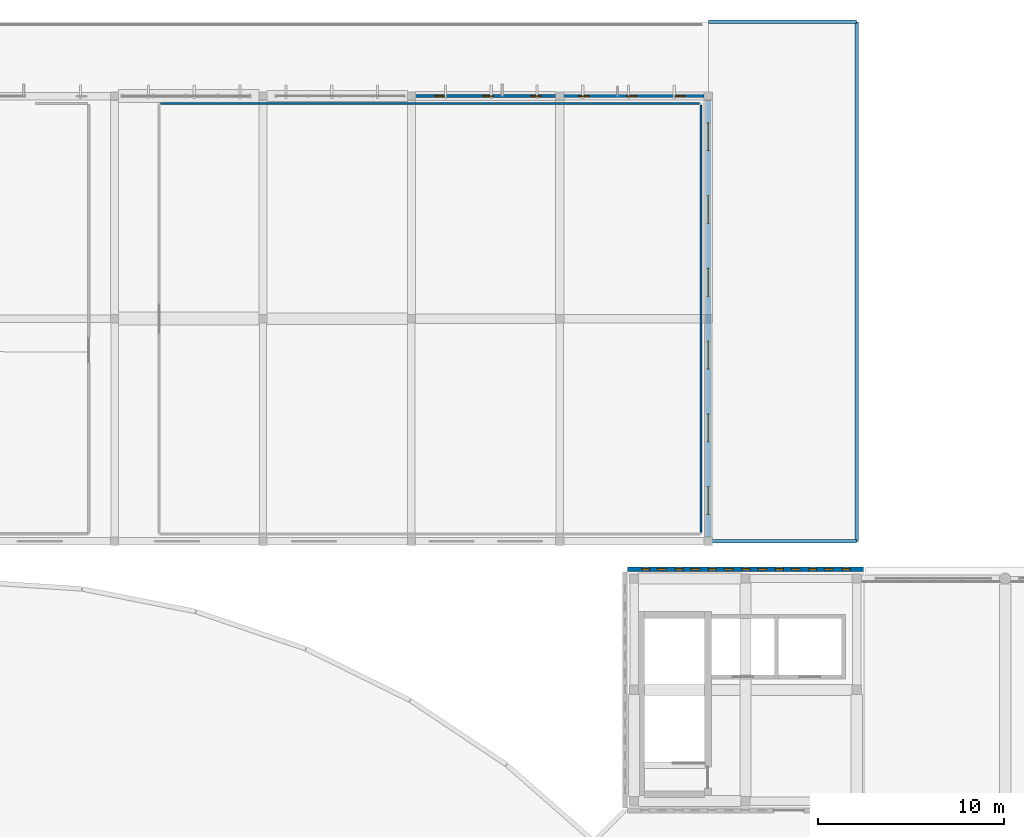
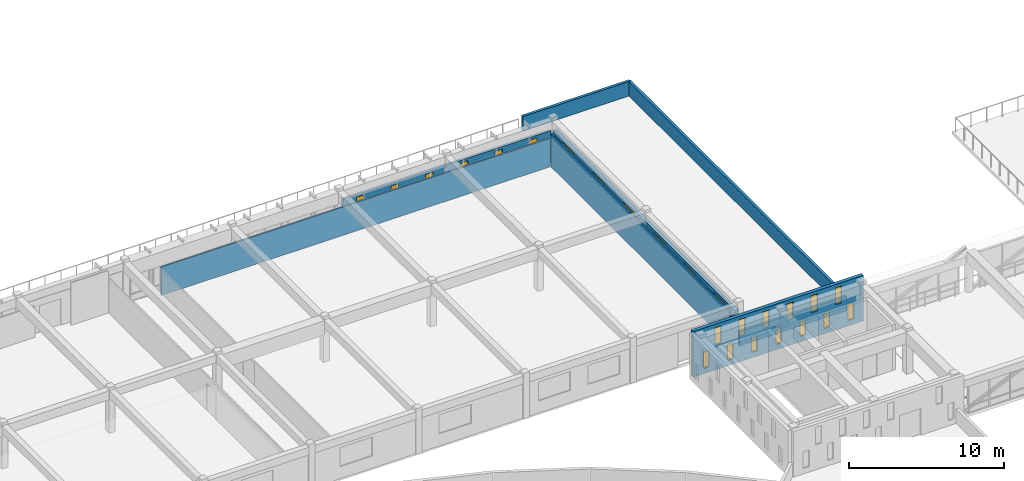
# One storey, part 59 of 77: 25 windows, 8 walls, 25 openings.
"""IFC4 building model written with IfcOpenShell, lengths in metres."""

from ifc_helpers import new_model, si_unit, direction, frame, frame_2d, origin, place, context, subcontext, project, spatial, rectangle, extrude, material, layer, layer_set, type_object, element, fill, save


model = new_model("IFC4")

# Units and contexts
model_context = context("Model", 3, precision=1e-05, world=origin(), true_north=direction((0.0, 1.0)))
body_context = subcontext(model_context, "Body", "Model", "MODEL_VIEW")
ifc_project = project(units=[si_unit("LENGTHUNIT", "METRE"), si_unit("AREAUNIT", "SQUARE_METRE"), si_unit("VOLUMEUNIT", "CUBIC_METRE"), si_unit("PLANEANGLEUNIT", "RADIAN"), si_unit("MASSUNIT", "GRAM", prefix="KILO")], contexts=[model_context])

# Site, building, storey
site_placement = place(None, origin())
site = spatial("IfcSite", under=ifc_project, at=site_placement, CompositionType="ELEMENT")
building_placement = place(site_placement, origin())
building = spatial("IfcBuilding", under=site, at=building_placement, Name="Larkveld Mobility Hub", CompositionType="ELEMENT")
storey_placement = place(building_placement, frame((0.0, 0.0, 12.0)))
storey = spatial("IfcBuildingStorey", under=building, at=storey_placement, Name="L03", CompositionType="ELEMENT", Elevation=12.0)

# Wall, openings, windows
ifc_material_1 = material(Name="Fired clay brick 25 MPa", Category="masonry")
ifc_layer_1 = layer(ifc_material_1, 0.260009765625, Name="Fired clay brick 25 MPa", Category="masonry")
ifc_layer_set_1 = layer_set([ifc_layer_1], Name="Fired clay brick 25 MPa")
wall_type_1 = type_object("IfcWallType", Name="WL-BRK-260", PredefinedType="USERDEFINED", material=ifc_layer_set_1)
wall_1_placement = place(storey_placement, frame((96.360107421875, 96.5, 0.0), z_axis=(0.0, 0.0, 1.0), x_axis=(-1.0, 0.0, 0.0)))
wall_1 = element("IfcWall", 1, at=wall_1_placement, inside=storey, type_object=wall_type_1, Name="Square Brick Pavilion N Wall L03-0150", ObjectType="PERFORATED BRICK SCREEN", PredefinedType="USERDEFINED", context=body_context, shape_type="SweptSolid", body=[
    extrude(rectangle(XDim=12.72021484375, YDim=0.260009765625, at=frame_2d((6.360107421875, 0.0))), origin(), (0.0, 0.0, 1.0), 3.60009765625),
])
opening_1_placement = place(wall_1_placement, frame((0.719970703125, 0.0, 0.419921875)))
opening_1 = element("IfcOpeningElement", 2, at=opening_1_placement, cuts=wall_1, Name="Opening W01", PredefinedType="OPENING", context=body_context, shape_type="SweptSolid", body=[
    extrude(rectangle(XDim=0.419921875, YDim=1.280029296875, at=frame_2d((0.2099609375, 0.64013671875))), frame((0.0, 0.14013671875, 0.0), z_axis=(0.0, -1.0, 0.0), x_axis=(1.0, 0.0, 0.0)), (0.0, 0.0, 1.0), 0.280029296875),
])
opening_2_placement = place(wall_1_placement, frame((2.52001953125, 0.0, 0.419921875)))
opening_2 = element("IfcOpeningElement", 3, at=opening_2_placement, cuts=wall_1, Name="Opening W01", PredefinedType="OPENING", context=body_context, shape_type="SweptSolid", body=[
    extrude(rectangle(XDim=0.419921875, YDim=1.280029296875, at=frame_2d((0.2099609375, 0.64013671875))), frame((0.0, 0.14013671875, 0.0), z_axis=(0.0, -1.0, 0.0), x_axis=(1.0, 0.0, 0.0)), (0.0, 0.0, 1.0), 0.280029296875),
])
opening_3_placement = place(wall_1_placement, frame((4.320068359375, 0.0, 0.419921875)))
opening_3 = element("IfcOpeningElement", 4, at=opening_3_placement, cuts=wall_1, Name="Opening W01", PredefinedType="OPENING", context=body_context, shape_type="SweptSolid", body=[
    extrude(rectangle(XDim=0.419921875, YDim=1.280029296875, at=frame_2d((0.2099609375, 0.64013671875))), frame((0.0, 0.14013671875, 0.0), z_axis=(0.0, -1.0, 0.0), x_axis=(1.0, 0.0, 0.0)), (0.0, 0.0, 1.0), 0.280029296875),
])
opening_4_placement = place(wall_1_placement, frame((6.1201171875, 0.0, 0.419921875)))
opening_4 = element("IfcOpeningElement", 5, at=opening_4_placement, cuts=wall_1, Name="Opening W01", PredefinedType="OPENING", context=body_context, shape_type="SweptSolid", body=[
    extrude(rectangle(XDim=0.419921875, YDim=1.280029296875, at=frame_2d((0.2099609375, 0.64013671875))), frame((0.0, 0.14013671875, 0.0), z_axis=(0.0, -1.0, 0.0), x_axis=(1.0, 0.0, 0.0)), (0.0, 0.0, 1.0), 0.280029296875),
])
opening_5_placement = place(wall_1_placement, frame((7.919921875, 0.0, 0.419921875)))
opening_5 = element("IfcOpeningElement", 6, at=opening_5_placement, cuts=wall_1, Name="Opening W01", PredefinedType="OPENING", context=body_context, shape_type="SweptSolid", body=[
    extrude(rectangle(XDim=0.419921875, YDim=1.280029296875, at=frame_2d((0.2099609375, 0.64013671875))), frame((0.0, 0.14013671875, 0.0), z_axis=(0.0, -1.0, 0.0), x_axis=(1.0, 0.0, 0.0)), (0.0, 0.0, 1.0), 0.280029296875),
])
opening_6_placement = place(wall_1_placement, frame((9.719970703125, 0.0, 0.419921875)))
opening_6 = element("IfcOpeningElement", 7, at=opening_6_placement, cuts=wall_1, Name="Opening W01", PredefinedType="OPENING", context=body_context, shape_type="SweptSolid", body=[
    extrude(rectangle(XDim=0.419921875, YDim=1.280029296875, at=frame_2d((0.2099609375, 0.64013671875))), frame((0.0, 0.14013671875, 0.0), z_axis=(0.0, -1.0, 0.0), x_axis=(1.0, 0.0, 0.0)), (0.0, 0.0, 1.0), 0.280029296875),
])
opening_7_placement = place(wall_1_placement, frame((11.52001953125, 0.0, 0.419921875)))
opening_7 = element("IfcOpeningElement", 8, at=opening_7_placement, cuts=wall_1, Name="Opening W01", PredefinedType="OPENING", context=body_context, shape_type="SweptSolid", body=[
    extrude(rectangle(XDim=0.419921875, YDim=1.280029296875, at=frame_2d((0.2099609375, 0.64013671875))), frame((0.0, 0.14013671875, 0.0), z_axis=(0.0, -1.0, 0.0), x_axis=(1.0, 0.0, 0.0)), (0.0, 0.0, 1.0), 0.280029296875),
])
opening_8_placement = place(wall_1_placement, frame((1.6201171875, 0.0, 1.97998046875)))
opening_8 = element("IfcOpeningElement", 9, at=opening_8_placement, cuts=wall_1, Name="Opening W03", PredefinedType="OPENING", context=body_context, shape_type="SweptSolid", body=[
    extrude(rectangle(XDim=0.47998046875, YDim=1.360107421875, at=frame_2d((0.239990234375, 0.68017578125))), frame((0.0, 0.14013671875, 0.0), z_axis=(0.0, -1.0, 0.0), x_axis=(1.0, 0.0, 0.0)), (0.0, 0.0, 1.0), 0.280029296875),
])
opening_9_placement = place(wall_1_placement, frame((3.419921875, 0.0, 1.97998046875)))
opening_9 = element("IfcOpeningElement", 10, at=opening_9_placement, cuts=wall_1, Name="Opening W03", PredefinedType="OPENING", context=body_context, shape_type="SweptSolid", body=[
    extrude(rectangle(XDim=0.47998046875, YDim=1.360107421875, at=frame_2d((0.239990234375, 0.68017578125))), frame((0.0, 0.14013671875, 0.0), z_axis=(0.0, -1.0, 0.0), x_axis=(1.0, 0.0, 0.0)), (0.0, 0.0, 1.0), 0.280029296875),
])
opening_10_placement = place(wall_1_placement, frame((5.219970703125, 0.0, 1.97998046875)))
opening_10 = element("IfcOpeningElement", 11, at=opening_10_placement, cuts=wall_1, Name="Opening W03", PredefinedType="OPENING", context=body_context, shape_type="SweptSolid", body=[
    extrude(rectangle(XDim=0.47998046875, YDim=1.360107421875, at=frame_2d((0.239990234375, 0.68017578125))), frame((0.0, 0.14013671875, 0.0), z_axis=(0.0, -1.0, 0.0), x_axis=(1.0, 0.0, 0.0)), (0.0, 0.0, 1.0), 0.280029296875),
])
opening_11_placement = place(wall_1_placement, frame((7.02001953125, 0.0, 1.97998046875)))
opening_11 = element("IfcOpeningElement", 12, at=opening_11_placement, cuts=wall_1, Name="Opening W03", PredefinedType="OPENING", context=body_context, shape_type="SweptSolid", body=[
    extrude(rectangle(XDim=0.47998046875, YDim=1.360107421875, at=frame_2d((0.239990234375, 0.68017578125))), frame((0.0, 0.14013671875, 0.0), z_axis=(0.0, -1.0, 0.0), x_axis=(1.0, 0.0, 0.0)), (0.0, 0.0, 1.0), 0.280029296875),
])
opening_12_placement = place(wall_1_placement, frame((8.820068359375, 0.0, 1.97998046875)))
opening_12 = element("IfcOpeningElement", 13, at=opening_12_placement, cuts=wall_1, Name="Opening W03", PredefinedType="OPENING", context=body_context, shape_type="SweptSolid", body=[
    extrude(rectangle(XDim=0.47998046875, YDim=1.360107421875, at=frame_2d((0.239990234375, 0.68017578125))), frame((0.0, 0.14013671875, 0.0), z_axis=(0.0, -1.0, 0.0), x_axis=(1.0, 0.0, 0.0)), (0.0, 0.0, 1.0), 0.280029296875),
])
opening_13_placement = place(wall_1_placement, frame((10.6201171875, 0.0, 1.97998046875)))
opening_13 = element("IfcOpeningElement", 14, at=opening_13_placement, cuts=wall_1, Name="Opening W03", PredefinedType="OPENING", context=body_context, shape_type="SweptSolid", body=[
    extrude(rectangle(XDim=0.47998046875, YDim=1.360107421875, at=frame_2d((0.239990234375, 0.68017578125))), frame((0.0, 0.14013671875, 0.0), z_axis=(0.0, -1.0, 0.0), x_axis=(1.0, 0.0, 0.0)), (0.0, 0.0, 1.0), 0.280029296875),
])
ifc_material_2 = material(Name="Extruded aluminium ventilation grille", Category="aluminium")
window_type_1 = type_object("IfcWindowType", Name="WN-VENT-01", PartitioningType="SINGLE_PANEL", PredefinedType="WINDOW", material=ifc_material_2)
window_1_placement = place(opening_1_placement, origin())
window_1 = element("IfcWindow", 15, at=window_1_placement, inside=storey, type_object=window_type_1, Name="Window W01 (0782)", OverallHeight=1.280029296875, OverallWidth=0.419921875, PartitioningType="SINGLE_PANEL", PredefinedType="WINDOW", context=body_context, shape_type="SweptSolid", body=[
    extrude(rectangle(XDim=0.419921875, YDim=1.280029296875, at=frame_2d((0.2099609375, 0.64013671875))), frame((0.0, 0.030029296875, 0.0), z_axis=(0.0, -1.0, 0.0), x_axis=(1.0, 0.0, 0.0)), (0.0, 0.0, 1.0), 0.06005859375),
])
fill(opening_1, window_1)
window_2_placement = place(opening_2_placement, origin())
window_2 = element("IfcWindow", 16, at=window_2_placement, inside=storey, type_object=window_type_1, Name="Window W01 (0783)", OverallHeight=1.280029296875, OverallWidth=0.419921875, PartitioningType="SINGLE_PANEL", PredefinedType="WINDOW", context=body_context, shape_type="SweptSolid", body=[
    extrude(rectangle(XDim=0.419921875, YDim=1.280029296875, at=frame_2d((0.2099609375, 0.64013671875))), frame((0.0, 0.030029296875, 0.0), z_axis=(0.0, -1.0, 0.0), x_axis=(1.0, 0.0, 0.0)), (0.0, 0.0, 1.0), 0.06005859375),
])
fill(opening_2, window_2)
window_3_placement = place(opening_3_placement, origin())
window_3 = element("IfcWindow", 17, at=window_3_placement, inside=storey, type_object=window_type_1, Name="Window W01 (0784)", OverallHeight=1.280029296875, OverallWidth=0.419921875, PartitioningType="SINGLE_PANEL", PredefinedType="WINDOW", context=body_context, shape_type="SweptSolid", body=[
    extrude(rectangle(XDim=0.419921875, YDim=1.280029296875, at=frame_2d((0.2099609375, 0.64013671875))), frame((0.0, 0.030029296875, 0.0), z_axis=(0.0, -1.0, 0.0), x_axis=(1.0, 0.0, 0.0)), (0.0, 0.0, 1.0), 0.06005859375),
])
fill(opening_3, window_3)
window_4_placement = place(opening_4_placement, origin())
window_4 = element("IfcWindow", 18, at=window_4_placement, inside=storey, type_object=window_type_1, Name="Window W01 (0785)", OverallHeight=1.280029296875, OverallWidth=0.419921875, PartitioningType="SINGLE_PANEL", PredefinedType="WINDOW", context=body_context, shape_type="SweptSolid", body=[
    extrude(rectangle(XDim=0.419921875, YDim=1.280029296875, at=frame_2d((0.2099609375, 0.64013671875))), frame((0.0, 0.030029296875, 0.0), z_axis=(0.0, -1.0, 0.0), x_axis=(1.0, 0.0, 0.0)), (0.0, 0.0, 1.0), 0.06005859375),
])
fill(opening_4, window_4)
window_5_placement = place(opening_5_placement, origin())
window_5 = element("IfcWindow", 19, at=window_5_placement, inside=storey, type_object=window_type_1, Name="Window W01 (0786)", OverallHeight=1.280029296875, OverallWidth=0.419921875, PartitioningType="SINGLE_PANEL", PredefinedType="WINDOW", context=body_context, shape_type="SweptSolid", body=[
    extrude(rectangle(XDim=0.419921875, YDim=1.280029296875, at=frame_2d((0.2099609375, 0.64013671875))), frame((0.0, 0.030029296875, 0.0), z_axis=(0.0, -1.0, 0.0), x_axis=(1.0, 0.0, 0.0)), (0.0, 0.0, 1.0), 0.06005859375),
])
fill(opening_5, window_5)
window_6_placement = place(opening_6_placement, origin())
window_6 = element("IfcWindow", 20, at=window_6_placement, inside=storey, type_object=window_type_1, Name="Window W01 (0787)", OverallHeight=1.280029296875, OverallWidth=0.419921875, PartitioningType="SINGLE_PANEL", PredefinedType="WINDOW", context=body_context, shape_type="SweptSolid", body=[
    extrude(rectangle(XDim=0.419921875, YDim=1.280029296875, at=frame_2d((0.2099609375, 0.64013671875))), frame((0.0, 0.030029296875, 0.0), z_axis=(0.0, -1.0, 0.0), x_axis=(1.0, 0.0, 0.0)), (0.0, 0.0, 1.0), 0.06005859375),
])
fill(opening_6, window_6)
window_7_placement = place(opening_7_placement, origin())
window_7 = element("IfcWindow", 21, at=window_7_placement, inside=storey, type_object=window_type_1, Name="Window W01 (0788)", OverallHeight=1.280029296875, OverallWidth=0.419921875, PartitioningType="SINGLE_PANEL", PredefinedType="WINDOW", context=body_context, shape_type="SweptSolid", body=[
    extrude(rectangle(XDim=0.419921875, YDim=1.280029296875, at=frame_2d((0.2099609375, 0.64013671875))), frame((0.0, 0.030029296875, 0.0), z_axis=(0.0, -1.0, 0.0), x_axis=(1.0, 0.0, 0.0)), (0.0, 0.0, 1.0), 0.06005859375),
])
fill(opening_7, window_7)
window_type_2 = type_object("IfcWindowType", Name="WN-VENT-03", PartitioningType="SINGLE_PANEL", PredefinedType="WINDOW", material=ifc_material_2)
window_8_placement = place(opening_8_placement, origin())
window_8 = element("IfcWindow", 22, at=window_8_placement, inside=storey, type_object=window_type_2, Name="Window W03 (0789)", OverallHeight=1.360107421875, OverallWidth=0.47998046875, PartitioningType="SINGLE_PANEL", PredefinedType="WINDOW", context=body_context, shape_type="SweptSolid", body=[
    extrude(rectangle(XDim=0.47998046875, YDim=1.360107421875, at=frame_2d((0.239990234375, 0.68017578125))), frame((0.0, 0.030029296875, 0.0), z_axis=(0.0, -1.0, 0.0), x_axis=(1.0, 0.0, 0.0)), (0.0, 0.0, 1.0), 0.06005859375),
])
fill(opening_8, window_8)
window_9_placement = place(opening_9_placement, origin())
window_9 = element("IfcWindow", 23, at=window_9_placement, inside=storey, type_object=window_type_2, Name="Window W03 (0790)", OverallHeight=1.360107421875, OverallWidth=0.47998046875, PartitioningType="SINGLE_PANEL", PredefinedType="WINDOW", context=body_context, shape_type="SweptSolid", body=[
    extrude(rectangle(XDim=0.47998046875, YDim=1.360107421875, at=frame_2d((0.239990234375, 0.68017578125))), frame((0.0, 0.030029296875, 0.0), z_axis=(0.0, -1.0, 0.0), x_axis=(1.0, 0.0, 0.0)), (0.0, 0.0, 1.0), 0.06005859375),
])
fill(opening_9, window_9)
window_10_placement = place(opening_10_placement, origin())
window_10 = element("IfcWindow", 24, at=window_10_placement, inside=storey, type_object=window_type_2, Name="Window W03 (0791)", OverallHeight=1.360107421875, OverallWidth=0.47998046875, PartitioningType="SINGLE_PANEL", PredefinedType="WINDOW", context=body_context, shape_type="SweptSolid", body=[
    extrude(rectangle(XDim=0.47998046875, YDim=1.360107421875, at=frame_2d((0.239990234375, 0.68017578125))), frame((0.0, 0.030029296875, 0.0), z_axis=(0.0, -1.0, 0.0), x_axis=(1.0, 0.0, 0.0)), (0.0, 0.0, 1.0), 0.06005859375),
])
fill(opening_10, window_10)
window_11_placement = place(opening_11_placement, origin())
window_11 = element("IfcWindow", 25, at=window_11_placement, inside=storey, type_object=window_type_2, Name="Window W03 (0792)", OverallHeight=1.360107421875, OverallWidth=0.47998046875, PartitioningType="SINGLE_PANEL", PredefinedType="WINDOW", context=body_context, shape_type="SweptSolid", body=[
    extrude(rectangle(XDim=0.47998046875, YDim=1.360107421875, at=frame_2d((0.239990234375, 0.68017578125))), frame((0.0, 0.030029296875, 0.0), z_axis=(0.0, -1.0, 0.0), x_axis=(1.0, 0.0, 0.0)), (0.0, 0.0, 1.0), 0.06005859375),
])
fill(opening_11, window_11)
window_12_placement = place(opening_12_placement, origin())
window_12 = element("IfcWindow", 26, at=window_12_placement, inside=storey, type_object=window_type_2, Name="Window W03 (0793)", OverallHeight=1.360107421875, OverallWidth=0.47998046875, PartitioningType="SINGLE_PANEL", PredefinedType="WINDOW", context=body_context, shape_type="SweptSolid", body=[
    extrude(rectangle(XDim=0.47998046875, YDim=1.360107421875, at=frame_2d((0.239990234375, 0.68017578125))), frame((0.0, 0.030029296875, 0.0), z_axis=(0.0, -1.0, 0.0), x_axis=(1.0, 0.0, 0.0)), (0.0, 0.0, 1.0), 0.06005859375),
])
fill(opening_12, window_12)
window_13_placement = place(opening_13_placement, origin())
window_13 = element("IfcWindow", 27, at=window_13_placement, inside=storey, type_object=window_type_2, Name="Window W03 (0794)", OverallHeight=1.360107421875, OverallWidth=0.47998046875, PartitioningType="SINGLE_PANEL", PredefinedType="WINDOW", context=body_context, shape_type="SweptSolid", body=[
    extrude(rectangle(XDim=0.47998046875, YDim=1.360107421875, at=frame_2d((0.239990234375, 0.68017578125))), frame((0.0, 0.030029296875, 0.0), z_axis=(0.0, -1.0, 0.0), x_axis=(1.0, 0.0, 0.0)), (0.0, 0.0, 1.0), 0.06005859375),
])
fill(opening_13, window_13)

ifc_material_3 = material(Name="Glazed architectural ceramic masonry 20 MPa", Category="masonry")
ifc_layer_2 = layer(ifc_material_3, 0.179931640625, Name="Glazed architectural ceramic masonry 20 MPa", Category="masonry")
ifc_layer_set_2 = layer_set([ifc_layer_2], Name="Glazed architectural ceramic masonry 20 MPa")
wall_type_2 = type_object("IfcWallType", Name="WL-COB-180", PredefinedType="USERDEFINED", material=ifc_layer_set_2)
wall_2_placement = place(storey_placement, frame((87.764892578125, 122.0, 0.0), z_axis=(0.0, 0.0, 1.0), x_axis=(-1.0, 0.0, 0.0)))
wall_2 = element("IfcWall", 28, at=wall_2_placement, inside=storey, type_object=wall_type_2, Name="Bicycle Hall Ceramic Cobogo Screen L03-0199", ObjectType="CERAMIC COBOGO SCREEN", PredefinedType="USERDEFINED", context=body_context, shape_type="SweptSolid", body=[
    extrude(rectangle(XDim=15.52978515625, YDim=0.179931640625, at=frame_2d((7.764892578125, 0.0))), origin(), (0.0, 0.0, 1.0), 2.544921875),
])
opening_14_placement = place(wall_2_placement, frame((1.013916015625, 0.0, 0.794921875)))
opening_14 = element("IfcOpeningElement", 29, at=opening_14_placement, cuts=wall_2, Name="Opening W04", PredefinedType="OPENING", context=body_context, shape_type="SweptSolid", body=[
    extrude(rectangle(XDim=0.56005859375, YDim=1.550048828125, at=frame_2d((0.280029296875, 0.77490234375))), frame((0.0, 0.10009765625, 0.0), z_axis=(0.0, -1.0, 0.0), x_axis=(1.0, 0.0, 0.0)), (0.0, 0.0, 1.0), 0.199951171875),
])
opening_15_placement = place(wall_2_placement, frame((3.60302734375, 0.0, 0.794921875)))
opening_15 = element("IfcOpeningElement", 30, at=opening_15_placement, cuts=wall_2, Name="Opening W04", PredefinedType="OPENING", context=body_context, shape_type="SweptSolid", body=[
    extrude(rectangle(XDim=0.56005859375, YDim=1.550048828125, at=frame_2d((0.280029296875, 0.77490234375))), frame((0.0, 0.10009765625, 0.0), z_axis=(0.0, -1.0, 0.0), x_axis=(1.0, 0.0, 0.0)), (0.0, 0.0, 1.0), 0.199951171875),
])
opening_16_placement = place(wall_2_placement, frame((6.19091796875, 0.0, 0.794921875)))
opening_16 = element("IfcOpeningElement", 31, at=opening_16_placement, cuts=wall_2, Name="Opening W04", PredefinedType="OPENING", context=body_context, shape_type="SweptSolid", body=[
    extrude(rectangle(XDim=0.56005859375, YDim=1.550048828125, at=frame_2d((0.280029296875, 0.77490234375))), frame((0.0, 0.10009765625, 0.0), z_axis=(0.0, -1.0, 0.0), x_axis=(1.0, 0.0, 0.0)), (0.0, 0.0, 1.0), 0.199951171875),
])
opening_17_placement = place(wall_2_placement, frame((8.779052734375, 0.0, 0.794921875)))
opening_17 = element("IfcOpeningElement", 32, at=opening_17_placement, cuts=wall_2, Name="Opening W04", PredefinedType="OPENING", context=body_context, shape_type="SweptSolid", body=[
    extrude(rectangle(XDim=0.56005859375, YDim=1.550048828125, at=frame_2d((0.280029296875, 0.77490234375))), frame((0.0, 0.10009765625, 0.0), z_axis=(0.0, -1.0, 0.0), x_axis=(1.0, 0.0, 0.0)), (0.0, 0.0, 1.0), 0.199951171875),
])
opening_18_placement = place(wall_2_placement, frame((11.367919921875, 0.0, 0.794921875)))
opening_18 = element("IfcOpeningElement", 33, at=opening_18_placement, cuts=wall_2, Name="Opening W04", PredefinedType="OPENING", context=body_context, shape_type="SweptSolid", body=[
    extrude(rectangle(XDim=0.56005859375, YDim=1.550048828125, at=frame_2d((0.280029296875, 0.77490234375))), frame((0.0, 0.10009765625, 0.0), z_axis=(0.0, -1.0, 0.0), x_axis=(1.0, 0.0, 0.0)), (0.0, 0.0, 1.0), 0.199951171875),
])
opening_19_placement = place(wall_2_placement, frame((13.9560546875, 0.0, 0.794921875)))
opening_19 = element("IfcOpeningElement", 34, at=opening_19_placement, cuts=wall_2, Name="Opening W04", PredefinedType="OPENING", context=body_context, shape_type="SweptSolid", body=[
    extrude(rectangle(XDim=0.56005859375, YDim=1.550048828125, at=frame_2d((0.280029296875, 0.77490234375))), frame((0.0, 0.10009765625, 0.0), z_axis=(0.0, -1.0, 0.0), x_axis=(1.0, 0.0, 0.0)), (0.0, 0.0, 1.0), 0.199951171875),
])
ifc_material_4 = material(Name="Extruded aluminium cobogo vent frame", Category="aluminium")
window_type_3 = type_object("IfcWindowType", Name="WN-VENT-04", PartitioningType="SINGLE_PANEL", PredefinedType="WINDOW", material=ifc_material_4)
window_14_placement = place(opening_14_placement, origin())
window_14 = element("IfcWindow", 35, at=window_14_placement, inside=storey, type_object=window_type_3, Name="Window W04 (0962)", OverallHeight=1.550048828125, OverallWidth=0.56005859375, PartitioningType="SINGLE_PANEL", PredefinedType="WINDOW", context=body_context, shape_type="SweptSolid", body=[
    extrude(rectangle(XDim=0.56005859375, YDim=1.550048828125, at=frame_2d((0.280029296875, 0.77490234375))), frame((0.0, 0.030029296875, 0.0), z_axis=(0.0, -1.0, 0.0), x_axis=(1.0, 0.0, 0.0)), (0.0, 0.0, 1.0), 0.06005859375),
])
fill(opening_14, window_14)
window_15_placement = place(opening_15_placement, origin())
window_15 = element("IfcWindow", 36, at=window_15_placement, inside=storey, type_object=window_type_3, Name="Window W04 (0963)", OverallHeight=1.550048828125, OverallWidth=0.56005859375, PartitioningType="SINGLE_PANEL", PredefinedType="WINDOW", context=body_context, shape_type="SweptSolid", body=[
    extrude(rectangle(XDim=0.56005859375, YDim=1.550048828125, at=frame_2d((0.280029296875, 0.77490234375))), frame((0.0, 0.030029296875, 0.0), z_axis=(0.0, -1.0, 0.0), x_axis=(1.0, 0.0, 0.0)), (0.0, 0.0, 1.0), 0.06005859375),
])
fill(opening_15, window_15)
window_16_placement = place(opening_16_placement, origin())
window_16 = element("IfcWindow", 37, at=window_16_placement, inside=storey, type_object=window_type_3, Name="Window W04 (0964)", OverallHeight=1.550048828125, OverallWidth=0.56005859375, PartitioningType="SINGLE_PANEL", PredefinedType="WINDOW", context=body_context, shape_type="SweptSolid", body=[
    extrude(rectangle(XDim=0.56005859375, YDim=1.550048828125, at=frame_2d((0.280029296875, 0.77490234375))), frame((0.0, 0.030029296875, 0.0), z_axis=(0.0, -1.0, 0.0), x_axis=(1.0, 0.0, 0.0)), (0.0, 0.0, 1.0), 0.06005859375),
])
fill(opening_16, window_16)
window_17_placement = place(opening_17_placement, origin())
window_17 = element("IfcWindow", 38, at=window_17_placement, inside=storey, type_object=window_type_3, Name="Window W04 (0965)", OverallHeight=1.550048828125, OverallWidth=0.56005859375, PartitioningType="SINGLE_PANEL", PredefinedType="WINDOW", context=body_context, shape_type="SweptSolid", body=[
    extrude(rectangle(XDim=0.56005859375, YDim=1.550048828125, at=frame_2d((0.280029296875, 0.77490234375))), frame((0.0, 0.030029296875, 0.0), z_axis=(0.0, -1.0, 0.0), x_axis=(1.0, 0.0, 0.0)), (0.0, 0.0, 1.0), 0.06005859375),
])
fill(opening_17, window_17)
window_18_placement = place(opening_18_placement, origin())
window_18 = element("IfcWindow", 39, at=window_18_placement, inside=storey, type_object=window_type_3, Name="Window W04 (0966)", OverallHeight=1.550048828125, OverallWidth=0.56005859375, PartitioningType="SINGLE_PANEL", PredefinedType="WINDOW", context=body_context, shape_type="SweptSolid", body=[
    extrude(rectangle(XDim=0.56005859375, YDim=1.550048828125, at=frame_2d((0.280029296875, 0.77490234375))), frame((0.0, 0.030029296875, 0.0), z_axis=(0.0, -1.0, 0.0), x_axis=(1.0, 0.0, 0.0)), (0.0, 0.0, 1.0), 0.06005859375),
])
fill(opening_18, window_18)
window_19_placement = place(opening_19_placement, origin())
window_19 = element("IfcWindow", 40, at=window_19_placement, inside=storey, type_object=window_type_3, Name="Window W04 (0967)", OverallHeight=1.550048828125, OverallWidth=0.56005859375, PartitioningType="SINGLE_PANEL", PredefinedType="WINDOW", context=body_context, shape_type="SweptSolid", body=[
    extrude(rectangle(XDim=0.56005859375, YDim=1.550048828125, at=frame_2d((0.280029296875, 0.77490234375))), frame((0.0, 0.030029296875, 0.0), z_axis=(0.0, -1.0, 0.0), x_axis=(1.0, 0.0, 0.0)), (0.0, 0.0, 1.0), 0.06005859375),
])
fill(opening_19, window_19)

ifc_material_5 = material(Name="Precast concrete C50/60", Category="concrete")
ifc_layer_3 = layer(ifc_material_5, 0.300048828125, Name="Precast concrete C50/60", Category="concrete")
ifc_layer_set_3 = layer_set([ifc_layer_3], Name="Precast concrete C50/60")
wall_type_3 = type_object("IfcWallType", Name="WL-EXT-300", PredefinedType="SOLIDWALL", material=ifc_layer_set_3)
wall_3_placement = place(storey_placement, frame((88.0, 98.235107421875, 0.0), z_axis=(0.0, 0.0, 1.0), x_axis=(0.0, 1.0, 0.0)))
wall_3 = element("IfcWall", 41, at=wall_3_placement, inside=storey, type_object=wall_type_3, Name="Bicycle Hall East End Wall L03-0202", PredefinedType="SOLIDWALL", context=body_context, shape_type="SweptSolid", body=[
    extrude(rectangle(XDim=23.52978515625, YDim=0.300048828125, at=frame_2d((11.764892578125, 0.0))), origin(), (0.0, 0.0, 1.0), 2.64501953125),
])
opening_20_placement = place(wall_3_placement, frame((1.2109375, 0.0, 0.35009765625)))
opening_20 = element("IfcOpeningElement", 42, at=opening_20_placement, cuts=wall_3, Name="Opening W16", PredefinedType="OPENING", context=body_context, shape_type="SweptSolid", body=[
    extrude(rectangle(XDim=1.5, YDim=2.10009765625, at=frame_2d((0.75, 1.050048828125))), frame((0.0, 0.16015625, 0.0), z_axis=(0.0, -1.0, 0.0), x_axis=(1.0, 0.0, 0.0)), (0.0, 0.0, 1.0), 0.320068359375),
])
opening_21_placement = place(wall_3_placement, frame((5.133056640625, 0.0, 0.35009765625)))
opening_21 = element("IfcOpeningElement", 43, at=opening_21_placement, cuts=wall_3, Name="Opening W16", PredefinedType="OPENING", context=body_context, shape_type="SweptSolid", body=[
    extrude(rectangle(XDim=1.5, YDim=2.10009765625, at=frame_2d((0.75, 1.050048828125))), frame((0.0, 0.16015625, 0.0), z_axis=(0.0, -1.0, 0.0), x_axis=(1.0, 0.0, 0.0)), (0.0, 0.0, 1.0), 0.320068359375),
])
opening_22_placement = place(wall_3_placement, frame((9.053955078125, 0.0, 0.35009765625)))
opening_22 = element("IfcOpeningElement", 44, at=opening_22_placement, cuts=wall_3, Name="Opening W16", PredefinedType="OPENING", context=body_context, shape_type="SweptSolid", body=[
    extrude(rectangle(XDim=1.5, YDim=2.10009765625, at=frame_2d((0.75, 1.050048828125))), frame((0.0, 0.16015625, 0.0), z_axis=(0.0, -1.0, 0.0), x_axis=(1.0, 0.0, 0.0)), (0.0, 0.0, 1.0), 0.320068359375),
])
opening_23_placement = place(wall_3_placement, frame((12.97607421875, 0.0, 0.35009765625)))
opening_23 = element("IfcOpeningElement", 45, at=opening_23_placement, cuts=wall_3, Name="Opening W16", PredefinedType="OPENING", context=body_context, shape_type="SweptSolid", body=[
    extrude(rectangle(XDim=1.5, YDim=2.10009765625, at=frame_2d((0.75, 1.050048828125))), frame((0.0, 0.16015625, 0.0), z_axis=(0.0, -1.0, 0.0), x_axis=(1.0, 0.0, 0.0)), (0.0, 0.0, 1.0), 0.320068359375),
])
opening_24_placement = place(wall_3_placement, frame((16.89794921875, 0.0, 0.35009765625)))
opening_24 = element("IfcOpeningElement", 46, at=opening_24_placement, cuts=wall_3, Name="Opening W16", PredefinedType="OPENING", context=body_context, shape_type="SweptSolid", body=[
    extrude(rectangle(XDim=1.5, YDim=2.10009765625, at=frame_2d((0.75, 1.050048828125))), frame((0.0, 0.16015625, 0.0), z_axis=(0.0, -1.0, 0.0), x_axis=(1.0, 0.0, 0.0)), (0.0, 0.0, 1.0), 0.320068359375),
])
opening_25_placement = place(wall_3_placement, frame((20.819091796875, 0.0, 0.35009765625)))
opening_25 = element("IfcOpeningElement", 47, at=opening_25_placement, cuts=wall_3, Name="Opening W16", PredefinedType="OPENING", context=body_context, shape_type="SweptSolid", body=[
    extrude(rectangle(XDim=1.5, YDim=2.10009765625, at=frame_2d((0.75, 1.050048828125))), frame((0.0, 0.16015625, 0.0), z_axis=(0.0, -1.0, 0.0), x_axis=(1.0, 0.0, 0.0)), (0.0, 0.0, 1.0), 0.320068359375),
])
ifc_material_6 = material(Name="Low-E double glazing in aluminium frame", Category="aluminium")
window_type_4 = type_object("IfcWindowType", Name="WN-ALU-16", PartitioningType="SINGLE_PANEL", PredefinedType="WINDOW", material=ifc_material_6)
window_20_placement = place(opening_20_placement, origin())
window_20 = element("IfcWindow", 48, at=window_20_placement, inside=storey, type_object=window_type_4, Name="Window W16 (0982)", OverallHeight=2.10009765625, OverallWidth=1.5, PartitioningType="SINGLE_PANEL", PredefinedType="WINDOW", context=body_context, shape_type="SweptSolid", body=[
    extrude(rectangle(XDim=1.5, YDim=2.10009765625, at=frame_2d((0.75, 1.050048828125))), frame((0.0, 0.030029296875, 0.0), z_axis=(0.0, -1.0, 0.0), x_axis=(1.0, 0.0, 0.0)), (0.0, 0.0, 1.0), 0.06005859375),
])
fill(opening_20, window_20)
window_21_placement = place(opening_21_placement, origin())
window_21 = element("IfcWindow", 49, at=window_21_placement, inside=storey, type_object=window_type_4, Name="Window W16 (0983)", OverallHeight=2.10009765625, OverallWidth=1.5, PartitioningType="SINGLE_PANEL", PredefinedType="WINDOW", context=body_context, shape_type="SweptSolid", body=[
    extrude(rectangle(XDim=1.5, YDim=2.10009765625, at=frame_2d((0.75, 1.050048828125))), frame((0.0, 0.030029296875, 0.0), z_axis=(0.0, -1.0, 0.0), x_axis=(1.0, 0.0, 0.0)), (0.0, 0.0, 1.0), 0.06005859375),
])
fill(opening_21, window_21)
window_22_placement = place(opening_22_placement, origin())
window_22 = element("IfcWindow", 50, at=window_22_placement, inside=storey, type_object=window_type_4, Name="Window W16 (0984)", OverallHeight=2.10009765625, OverallWidth=1.5, PartitioningType="SINGLE_PANEL", PredefinedType="WINDOW", context=body_context, shape_type="SweptSolid", body=[
    extrude(rectangle(XDim=1.5, YDim=2.10009765625, at=frame_2d((0.75, 1.050048828125))), frame((0.0, 0.030029296875, 0.0), z_axis=(0.0, -1.0, 0.0), x_axis=(1.0, 0.0, 0.0)), (0.0, 0.0, 1.0), 0.06005859375),
])
fill(opening_22, window_22)
window_23_placement = place(opening_23_placement, origin())
window_23 = element("IfcWindow", 51, at=window_23_placement, inside=storey, type_object=window_type_4, Name="Window W16 (0985)", OverallHeight=2.10009765625, OverallWidth=1.5, PartitioningType="SINGLE_PANEL", PredefinedType="WINDOW", context=body_context, shape_type="SweptSolid", body=[
    extrude(rectangle(XDim=1.5, YDim=2.10009765625, at=frame_2d((0.75, 1.050048828125))), frame((0.0, 0.030029296875, 0.0), z_axis=(0.0, -1.0, 0.0), x_axis=(1.0, 0.0, 0.0)), (0.0, 0.0, 1.0), 0.06005859375),
])
fill(opening_23, window_23)
window_24_placement = place(opening_24_placement, origin())
window_24 = element("IfcWindow", 52, at=window_24_placement, inside=storey, type_object=window_type_4, Name="Window W16 (0986)", OverallHeight=2.10009765625, OverallWidth=1.5, PartitioningType="SINGLE_PANEL", PredefinedType="WINDOW", context=body_context, shape_type="SweptSolid", body=[
    extrude(rectangle(XDim=1.5, YDim=2.10009765625, at=frame_2d((0.75, 1.050048828125))), frame((0.0, 0.030029296875, 0.0), z_axis=(0.0, -1.0, 0.0), x_axis=(1.0, 0.0, 0.0)), (0.0, 0.0, 1.0), 0.06005859375),
])
fill(opening_24, window_24)
window_25_placement = place(opening_25_placement, origin())
window_25 = element("IfcWindow", 53, at=window_25_placement, inside=storey, type_object=window_type_4, Name="Window W16 (0987)", OverallHeight=2.10009765625, OverallWidth=1.5, PartitioningType="SINGLE_PANEL", PredefinedType="WINDOW", context=body_context, shape_type="SweptSolid", body=[
    extrude(rectangle(XDim=1.5, YDim=2.10009765625, at=frame_2d((0.75, 1.050048828125))), frame((0.0, 0.030029296875, 0.0), z_axis=(0.0, -1.0, 0.0), x_axis=(1.0, 0.0, 0.0)), (0.0, 0.0, 1.0), 0.06005859375),
])
fill(opening_25, window_25)

# Walls
ifc_layer_4 = layer(ifc_material_1, 0.199951171875, Name="Fired clay brick 25 MPa", Category="masonry")
ifc_layer_set_4 = layer_set([ifc_layer_4], Name="Fired clay brick 25 MPa")
wall_type_4 = type_object("IfcWallType", Name="WL-PAR-200", PredefinedType="PARAPET", material=ifc_layer_set_4)
wall_4_placement = place(storey_placement, frame((88.0, 98.0, 0.0), z_axis=(0.0, 0.0, 1.0), x_axis=(1.0, 0.0, 0.0)))
element("IfcWall", 54, at=wall_4_placement, inside=storey, type_object=wall_type_4, Name="Bicycle Hall East Setback Parapet 0333", PredefinedType="PARAPET", context=body_context, shape_type="SweptSolid", body=[
    extrude(rectangle(XDim=8.0, YDim=0.199951171875, at=frame_2d((4.0, 0.0))), origin(), (0.0, 0.0, 1.0), 1.14990234375),
])
wall_5_placement = place(storey_placement, frame((96.0, 98.0, 0.0), z_axis=(0.0, 0.0, 1.0), x_axis=(0.0, 1.0, 0.0)))
element("IfcWall", 55, at=wall_5_placement, inside=storey, type_object=wall_type_4, Name="Bicycle Hall East Setback Parapet 0334", PredefinedType="PARAPET", context=body_context, shape_type="SweptSolid", body=[
    extrude(rectangle(XDim=28.0, YDim=0.199951171875, at=frame_2d((14.0, 0.0))), origin(), (0.0, 0.0, 1.0), 1.14990234375),
])
wall_6_placement = place(storey_placement, frame((96.0, 126.0, 0.0), z_axis=(0.0, 0.0, 1.0), x_axis=(-1.0, 0.0, 0.0)))
element("IfcWall", 56, at=wall_6_placement, inside=storey, type_object=wall_type_4, Name="Bicycle Hall East Setback Parapet 0335", PredefinedType="PARAPET", context=body_context, shape_type="SweptSolid", body=[
    extrude(rectangle(XDim=8.0, YDim=0.199951171875, at=frame_2d((4.0, 0.0))), origin(), (0.0, 0.0, 1.0), 1.14990234375),
])
ifc_material_7 = material(Name="Concrete blockwork masonry 14 MPa", Category="masonry")
ifc_layer_5 = layer(ifc_material_7, 0.110107421875, Name="Concrete blockwork masonry 14 MPa", Category="masonry")
ifc_layer_set_5 = layer_set([ifc_layer_5], Name="Concrete blockwork masonry 14 MPa")
wall_type_5 = type_object("IfcWallType", Name="WL-PRT-110", PredefinedType="PARTITIONING", material=ifc_layer_set_5)
wall_7_placement = place(storey_placement, frame((58.47998046875, 121.594970703125, 0.0), z_axis=(0.0, 0.0, 1.0), x_axis=(1.0, 0.0, 0.0)))
element("IfcWall", 57, at=wall_7_placement, inside=storey, type_object=wall_type_5, Name="Community Transport Forum Conference Hall Partition 0189", PredefinedType="PARTITIONING", context=body_context, shape_type="SweptSolid", body=[
    extrude(rectangle(XDim=29.034912109375, YDim=0.110107421875, at=frame_2d((14.517578125, 0.0))), origin(), (0.0, 0.0, 1.0), 2.2451171875),
])
wall_8_placement = place(storey_placement, frame((87.594970703125, 98.47998046875, 0.0), z_axis=(0.0, 0.0, 1.0), x_axis=(0.0, 1.0, 0.0)))
element("IfcWall", 58, at=wall_8_placement, inside=storey, type_object=wall_type_5, Name="Community Transport Forum Conference Hall Partition 0191", PredefinedType="PARTITIONING", context=body_context, shape_type="SweptSolid", body=[
    extrude(rectangle(XDim=23.034912109375, YDim=0.110107421875, at=frame_2d((11.517578125, 0.0))), origin(), (0.0, 0.0, 1.0), 2.64501953125),
])

save(model, "model.ifc")
